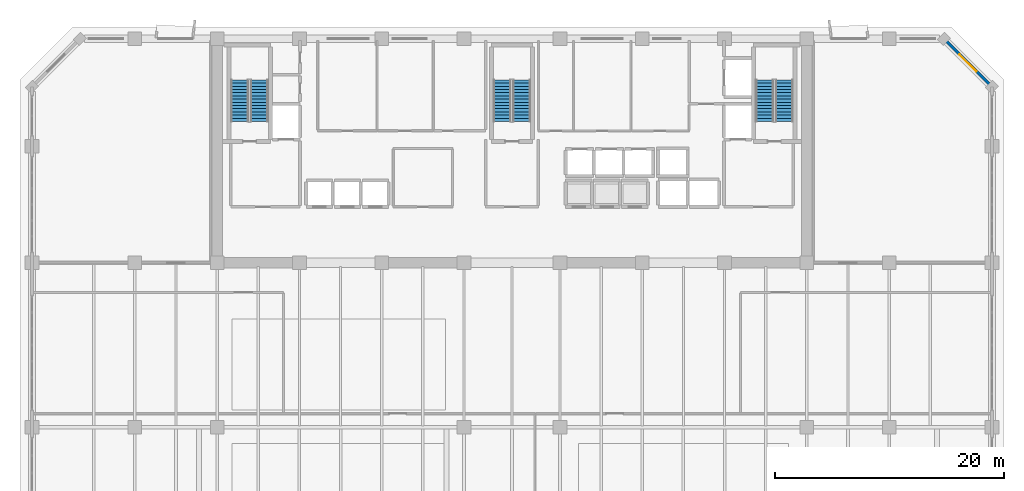
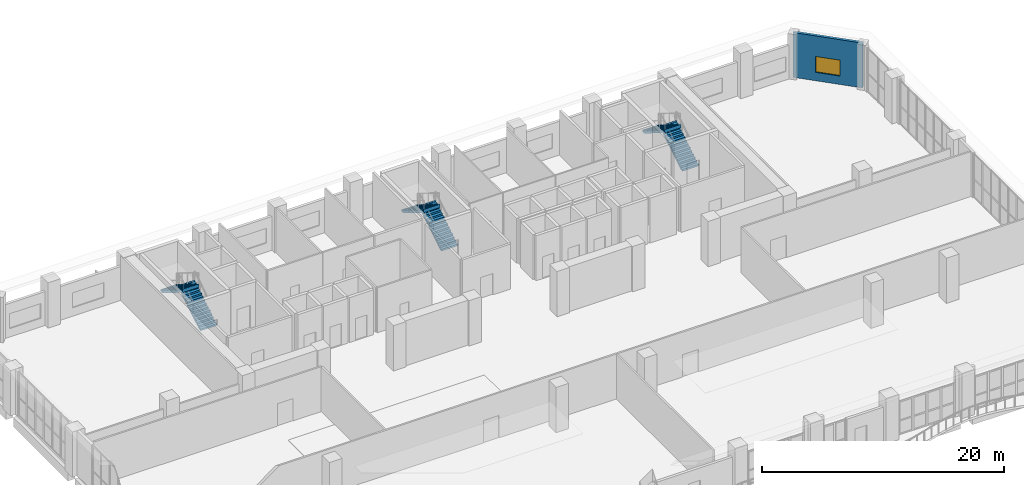
# One storey, part 32 of 37: 6 stair flights, 1 wall, 1 window, 1 opening, 3 elements without a shape of their own.
"""IFC4 building model written with IfcOpenShell, lengths in metres."""

from ifc_helpers import new_model, si_unit, direction, frame, frame_2d, origin, place, context, subcontext, project, spatial, polyline, rectangle, outline, extrude, material, layer, layer_set, type_object, element, fill, aggregate, save


model = new_model("IFC4")

# Units and contexts
model_context = context("Model", 3, precision=1e-05, world=origin(), true_north=direction((0.0, 1.0)))
body_context = subcontext(model_context, "Body", "Model", "MODEL_VIEW")
ifc_project = project(units=[si_unit("LENGTHUNIT", "METRE"), si_unit("AREAUNIT", "SQUARE_METRE"), si_unit("VOLUMEUNIT", "CUBIC_METRE"), si_unit("PLANEANGLEUNIT", "RADIAN"), si_unit("MASSUNIT", "GRAM", prefix="KILO")], contexts=[model_context])

# Site, building, storey
site_placement = place(None, origin())
site = spatial("IfcSite", under=ifc_project, at=site_placement, CompositionType="ELEMENT")
building_placement = place(site_placement, origin())
building = spatial("IfcBuilding", under=site, at=building_placement, Name="Kaelvorn Grand Hotel", CompositionType="ELEMENT")
storey_placement = place(building_placement, frame((0.0, 0.0, 130.550048828125)))
storey = spatial("IfcBuildingStorey", under=building, at=storey_placement, Name="L31", CompositionType="ELEMENT", Elevation=130.550048828125)

# Wall, opening, window
ifc_material_1 = material(Name="Concrete C40/50", Category="concrete")
ifc_layer = layer(ifc_material_1, 0.260009765625)
ifc_layer_set = layer_set([ifc_layer], Name="Concrete C40/50")
wall_type = type_object("IfcWallType", Name="WL-EXT-260-C40", PredefinedType="SOLIDWALL", material=ifc_layer_set)
wall_placement = place(storey_placement, frame((84.0, 44.800048828125, 0.0), z_axis=(0.0, 0.0, 1.0), x_axis=(-0.707106781187, 0.707106781187, 0.0)))
wall = element("IfcWall", 1, at=wall_placement, inside=storey, type_object=wall_type, Name="L31 Exterior Architectural Concrete Wall 04", PredefinedType="SOLIDWALL", context=body_context, shape_type="SweptSolid", body=[
    extrude(rectangle(XDim=5.939697265625, YDim=0.260009765625, at=frame_2d((2.9697265625, 0.0))), origin(), (0.0, 0.0, 1.0), 4.52001953125),
])
opening_placement = place(wall_placement, frame((1.919921875, 0.0, 0.85009765625)))
opening = element("IfcOpeningElement", 2, at=opening_placement, cuts=wall, Name="Opening W7", PredefinedType="OPENING", context=body_context, shape_type="SweptSolid", body=[
    extrude(rectangle(XDim=2.10009765625, YDim=1.60009765625, at=frame_2d((1.050048828125, 0.800048828125))), frame((0.0, 0.14013671875, 0.0), z_axis=(0.0, -1.0, 0.0), x_axis=(1.0, 0.0, 0.0)), (0.0, 0.0, 1.0), 0.280029296875),
])
ifc_material_2 = material(Name="Laminated Low-E Glass", Category="glass")
window_type = type_object("IfcWindowType", Name="WIN-CHM-2100x1600", PartitioningType="SINGLE_PANEL", PredefinedType="WINDOW", material=ifc_material_2)
window_placement = place(opening_placement, origin())
window = element("IfcWindow", 3, at=window_placement, inside=storey, type_object=window_type, Name="L31 Chamfered 45-Degree Corner Window NE", OverallHeight=1.60009765625, OverallWidth=2.10009765625, PartitioningType="SINGLE_PANEL", PredefinedType="WINDOW", context=body_context, shape_type="SweptSolid", body=[
    extrude(rectangle(XDim=2.10009765625, YDim=1.60009765625, at=frame_2d((1.050048828125, 0.800048828125))), frame((0.0, 0.030029296875, 0.0), z_axis=(0.0, -1.0, 0.0), x_axis=(1.0, 0.0, 0.0)), (0.0, 0.0, 1.0), 0.06005859375),
])
fill(opening, window)

# Stair, stair flights
stair_type = type_object("IfcStairType", Name="STR-DOG-1560-R07", PredefinedType="HALF_TURN_STAIR", material=ifc_material_1)
stair_1_placement = place(storey_placement, origin())
stair_1 = element("IfcStair", 4, at=stair_1_placement, inside=storey, type_object=stair_type, Name="L31 West Core Exit Stair ST1", PredefinedType="HALF_TURN_STAIR")
stair_flight_type = type_object("IfcStairFlightType", Name="FLG-DOG-1560-R07", PredefinedType="STRAIGHT", material=ifc_material_1)
stair_flight_1_placement = place(storey_placement, frame((19.89990234375, 41.760009765625, 0.0), z_axis=(0.0, 0.0, 1.0), x_axis=(0.0, 1.0, 0.0)))
stair_flight_1 = element("IfcStairFlight", 5, at=stair_flight_1_placement, type_object=stair_flight_type, Name="ST1 flight 1", NumberOfRisers=14, NumberOfTreads=13, PredefinedType="STRAIGHT", RiserHeight=0.171428571, TreadLength=0.28, context=body_context, shape_type="SweptSolid", body=[
    extrude(outline(polyline([(-0.0048828125, 0.0), (-0.0048828125, 0.0400390625), (0.0, 0.17138671875), (0.280029296875, 0.17138671875), (0.280029296875, 0.3427734375), (0.56005859375, 0.3427734375), (0.56005859375, 0.514404296875), (0.840087890625, 0.514404296875), (0.840087890625, 0.685791015625), (1.1201171875, 0.685791015625), (1.1201171875, 0.857177734375), (1.39990234375, 0.857177734375), (1.39990234375, 1.028564453125), (1.679931640625, 1.028564453125), (1.679931640625, 1.199951171875), (1.9599609375, 1.199951171875), (1.9599609375, 1.371337890625), (2.239990234375, 1.371337890625), (2.239990234375, 1.54296875), (2.52001953125, 1.54296875), (2.52001953125, 1.71435546875), (2.800048828125, 1.71435546875), (2.800048828125, 1.8857421875), (3.080078125, 1.8857421875), (3.080078125, 2.05712890625), (3.360107421875, 2.05712890625), (3.360107421875, 2.228515625), (3.639892578125, 2.228515625), (3.639892578125, 2.39990234375), (3.64501953125, 2.39990234375), (3.64501953125, 2.052734375), (0.287109375, 0.0), (-0.0048828125, 0.0)])), frame((0.0, 0.780029296875, 0.0), z_axis=(0.0, -1.0, 0.0), x_axis=(1.0, 0.0, 0.0)), (0.0, 0.0, 1.0), 1.56005859375),
])
stair_flight_2_placement = place(storey_placement, frame((18.179931640625, 45.39990234375, 2.39990234375), z_axis=(0.0, 0.0, 1.0), x_axis=(0.0, -1.0, 0.0)))
stair_flight_2 = element("IfcStairFlight", 6, at=stair_flight_2_placement, type_object=stair_flight_type, Name="ST1 flight 2", NumberOfRisers=14, NumberOfTreads=13, PredefinedType="STRAIGHT", RiserHeight=0.171428571, TreadLength=0.28, context=body_context, shape_type="SweptSolid", body=[
    extrude(outline(polyline([(-0.0048828125, 0.0), (-0.0048828125, 0.0400390625), (0.0, 0.17138671875), (0.280029296875, 0.17138671875), (0.280029296875, 0.3427734375), (0.56005859375, 0.3427734375), (0.56005859375, 0.514404296875), (0.840087890625, 0.514404296875), (0.840087890625, 0.685791015625), (1.1201171875, 0.685791015625), (1.1201171875, 0.857177734375), (1.39990234375, 0.857177734375), (1.39990234375, 1.028564453125), (1.679931640625, 1.028564453125), (1.679931640625, 1.199951171875), (1.9599609375, 1.199951171875), (1.9599609375, 1.371337890625), (2.239990234375, 1.371337890625), (2.239990234375, 1.54296875), (2.52001953125, 1.54296875), (2.52001953125, 1.71435546875), (2.800048828125, 1.71435546875), (2.800048828125, 1.8857421875), (3.080078125, 1.8857421875), (3.080078125, 2.05712890625), (3.360107421875, 2.05712890625), (3.360107421875, 2.228515625), (3.639892578125, 2.228515625), (3.639892578125, 2.39990234375), (3.64501953125, 2.39990234375), (3.64501953125, 2.052734375), (0.287109375, 0.0), (-0.0048828125, 0.0)])), frame((0.0, 0.780029296875, 0.0), z_axis=(0.0, -1.0, 0.0), x_axis=(1.0, 0.0, 0.0)), (0.0, 0.0, 1.0), 1.56005859375),
])
aggregate(stair_1, [stair_flight_1, stair_flight_2])

stair_2_placement = place(storey_placement, origin())
stair_2 = element("IfcStair", 7, at=stair_2_placement, inside=storey, type_object=stair_type, Name="L31 Central Core Exit Stair ST2", PredefinedType="HALF_TURN_STAIR")
stair_flight_3_placement = place(storey_placement, frame((42.860107421875, 41.760009765625, 0.0), z_axis=(0.0, 0.0, 1.0), x_axis=(0.0, 1.0, 0.0)))
stair_flight_3 = element("IfcStairFlight", 8, at=stair_flight_3_placement, type_object=stair_flight_type, Name="ST2 flight 1", NumberOfRisers=14, NumberOfTreads=13, PredefinedType="STRAIGHT", RiserHeight=0.171428571, TreadLength=0.28, context=body_context, shape_type="SweptSolid", body=[
    extrude(outline(polyline([(-0.0048828125, 0.0), (-0.0048828125, 0.0400390625), (0.0, 0.17138671875), (0.280029296875, 0.17138671875), (0.280029296875, 0.3427734375), (0.56005859375, 0.3427734375), (0.56005859375, 0.514404296875), (0.840087890625, 0.514404296875), (0.840087890625, 0.685791015625), (1.1201171875, 0.685791015625), (1.1201171875, 0.857177734375), (1.39990234375, 0.857177734375), (1.39990234375, 1.028564453125), (1.679931640625, 1.028564453125), (1.679931640625, 1.199951171875), (1.9599609375, 1.199951171875), (1.9599609375, 1.371337890625), (2.239990234375, 1.371337890625), (2.239990234375, 1.54296875), (2.52001953125, 1.54296875), (2.52001953125, 1.71435546875), (2.800048828125, 1.71435546875), (2.800048828125, 1.8857421875), (3.080078125, 1.8857421875), (3.080078125, 2.05712890625), (3.360107421875, 2.05712890625), (3.360107421875, 2.228515625), (3.639892578125, 2.228515625), (3.639892578125, 2.39990234375), (3.64501953125, 2.39990234375), (3.64501953125, 2.052734375), (0.287109375, 0.0), (-0.0048828125, 0.0)])), frame((0.0, 0.780029296875, 0.0), z_axis=(0.0, -1.0, 0.0), x_axis=(1.0, 0.0, 0.0)), (0.0, 0.0, 1.0), 1.56005859375),
])
stair_flight_4_placement = place(storey_placement, frame((41.139892578125, 45.39990234375, 2.39990234375), z_axis=(0.0, 0.0, 1.0), x_axis=(0.0, -1.0, 0.0)))
stair_flight_4 = element("IfcStairFlight", 9, at=stair_flight_4_placement, type_object=stair_flight_type, Name="ST2 flight 2", NumberOfRisers=14, NumberOfTreads=13, PredefinedType="STRAIGHT", RiserHeight=0.171428571, TreadLength=0.28, context=body_context, shape_type="SweptSolid", body=[
    extrude(outline(polyline([(-0.0048828125, 0.0), (-0.0048828125, 0.0400390625), (0.0, 0.17138671875), (0.280029296875, 0.17138671875), (0.280029296875, 0.3427734375), (0.56005859375, 0.3427734375), (0.56005859375, 0.514404296875), (0.840087890625, 0.514404296875), (0.840087890625, 0.685791015625), (1.1201171875, 0.685791015625), (1.1201171875, 0.857177734375), (1.39990234375, 0.857177734375), (1.39990234375, 1.028564453125), (1.679931640625, 1.028564453125), (1.679931640625, 1.199951171875), (1.9599609375, 1.199951171875), (1.9599609375, 1.371337890625), (2.239990234375, 1.371337890625), (2.239990234375, 1.54296875), (2.52001953125, 1.54296875), (2.52001953125, 1.71435546875), (2.800048828125, 1.71435546875), (2.800048828125, 1.8857421875), (3.080078125, 1.8857421875), (3.080078125, 2.05712890625), (3.360107421875, 2.05712890625), (3.360107421875, 2.228515625), (3.639892578125, 2.228515625), (3.639892578125, 2.39990234375), (3.64501953125, 2.39990234375), (3.64501953125, 2.052734375), (0.287109375, 0.0), (-0.0048828125, 0.0)])), frame((0.0, 0.780029296875, 0.0), z_axis=(0.0, -1.0, 0.0), x_axis=(1.0, 0.0, 0.0)), (0.0, 0.0, 1.0), 1.56005859375),
])
aggregate(stair_2, [stair_flight_3, stair_flight_4])

stair_3_placement = place(storey_placement, origin())
stair_3 = element("IfcStair", 10, at=stair_3_placement, inside=storey, type_object=stair_type, Name="L31 East Core Exit Stair ST3", PredefinedType="HALF_TURN_STAIR")
stair_flight_5_placement = place(storey_placement, frame((65.820068359375, 41.760009765625, 0.0), z_axis=(0.0, 0.0, 1.0), x_axis=(0.0, 1.0, 0.0)))
stair_flight_5 = element("IfcStairFlight", 11, at=stair_flight_5_placement, type_object=stair_flight_type, Name="ST3 flight 1", NumberOfRisers=14, NumberOfTreads=13, PredefinedType="STRAIGHT", RiserHeight=0.171428571, TreadLength=0.28, context=body_context, shape_type="SweptSolid", body=[
    extrude(outline(polyline([(-0.0048828125, 0.0), (-0.0048828125, 0.0400390625), (0.0, 0.17138671875), (0.280029296875, 0.17138671875), (0.280029296875, 0.3427734375), (0.56005859375, 0.3427734375), (0.56005859375, 0.514404296875), (0.840087890625, 0.514404296875), (0.840087890625, 0.685791015625), (1.1201171875, 0.685791015625), (1.1201171875, 0.857177734375), (1.39990234375, 0.857177734375), (1.39990234375, 1.028564453125), (1.679931640625, 1.028564453125), (1.679931640625, 1.199951171875), (1.9599609375, 1.199951171875), (1.9599609375, 1.371337890625), (2.239990234375, 1.371337890625), (2.239990234375, 1.54296875), (2.52001953125, 1.54296875), (2.52001953125, 1.71435546875), (2.800048828125, 1.71435546875), (2.800048828125, 1.8857421875), (3.080078125, 1.8857421875), (3.080078125, 2.05712890625), (3.360107421875, 2.05712890625), (3.360107421875, 2.228515625), (3.639892578125, 2.228515625), (3.639892578125, 2.39990234375), (3.64501953125, 2.39990234375), (3.64501953125, 2.052734375), (0.287109375, 0.0), (-0.0048828125, 0.0)])), frame((0.0, 0.780029296875, 0.0), z_axis=(0.0, -1.0, 0.0), x_axis=(1.0, 0.0, 0.0)), (0.0, 0.0, 1.0), 1.56005859375),
])
stair_flight_6_placement = place(storey_placement, frame((64.10009765625, 45.39990234375, 2.39990234375), z_axis=(0.0, 0.0, 1.0), x_axis=(0.0, -1.0, 0.0)))
stair_flight_6 = element("IfcStairFlight", 12, at=stair_flight_6_placement, type_object=stair_flight_type, Name="ST3 flight 2", NumberOfRisers=14, NumberOfTreads=13, PredefinedType="STRAIGHT", RiserHeight=0.171428571, TreadLength=0.28, context=body_context, shape_type="SweptSolid", body=[
    extrude(outline(polyline([(-0.0048828125, 0.0), (-0.0048828125, 0.0400390625), (0.0, 0.17138671875), (0.280029296875, 0.17138671875), (0.280029296875, 0.3427734375), (0.56005859375, 0.3427734375), (0.56005859375, 0.514404296875), (0.840087890625, 0.514404296875), (0.840087890625, 0.685791015625), (1.1201171875, 0.685791015625), (1.1201171875, 0.857177734375), (1.39990234375, 0.857177734375), (1.39990234375, 1.028564453125), (1.679931640625, 1.028564453125), (1.679931640625, 1.199951171875), (1.9599609375, 1.199951171875), (1.9599609375, 1.371337890625), (2.239990234375, 1.371337890625), (2.239990234375, 1.54296875), (2.52001953125, 1.54296875), (2.52001953125, 1.71435546875), (2.800048828125, 1.71435546875), (2.800048828125, 1.8857421875), (3.080078125, 1.8857421875), (3.080078125, 2.05712890625), (3.360107421875, 2.05712890625), (3.360107421875, 2.228515625), (3.639892578125, 2.228515625), (3.639892578125, 2.39990234375), (3.64501953125, 2.39990234375), (3.64501953125, 2.052734375), (0.287109375, 0.0), (-0.0048828125, 0.0)])), frame((0.0, 0.780029296875, 0.0), z_axis=(0.0, -1.0, 0.0), x_axis=(1.0, 0.0, 0.0)), (0.0, 0.0, 1.0), 1.56005859375),
])
aggregate(stair_3, [stair_flight_5, stair_flight_6])

save(model, "model.ifc")
